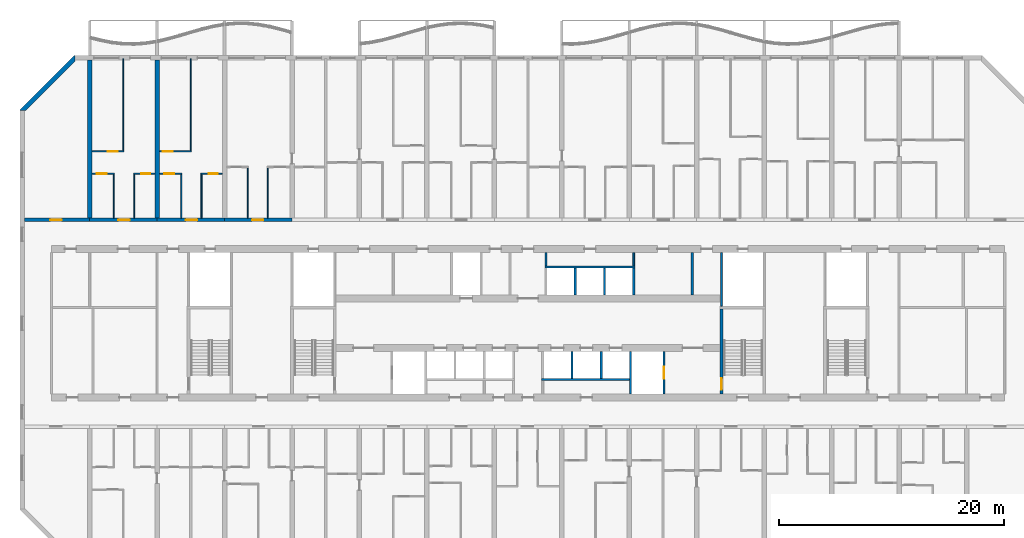
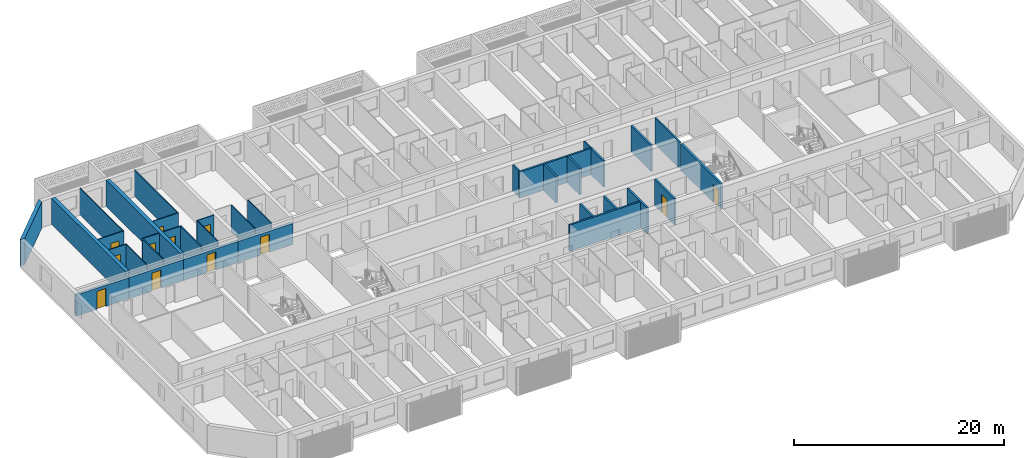
# One storey, part 9 of 39: 35 walls, 12 doors, 12 openings.
"""IFC4 building model written with IfcOpenShell, lengths in metres."""

from ifc_helpers import new_model, si_unit, direction, frame, frame_2d, origin, place, context, subcontext, project, spatial, polyline, rectangle, outline, extrude, material, layer, layer_set, type_object, element, fill, save


model = new_model("IFC4")

# Units and contexts
model_context = context("Model", 3, precision=1e-05, world=origin(), true_north=direction((0.0, 1.0)))
body_context = subcontext(model_context, "Body", "Model", "MODEL_VIEW")
ifc_project = project(units=[si_unit("LENGTHUNIT", "METRE"), si_unit("AREAUNIT", "SQUARE_METRE"), si_unit("VOLUMEUNIT", "CUBIC_METRE"), si_unit("PLANEANGLEUNIT", "RADIAN"), si_unit("MASSUNIT", "GRAM", prefix="KILO")], contexts=[model_context])

# Site, building, storey
site_placement = place(None, origin())
site = spatial("IfcSite", under=ifc_project, at=site_placement, CompositionType="ELEMENT")
building_placement = place(site_placement, origin())
building = spatial("IfcBuilding", under=site, at=building_placement, Name="Poui Terraces", CompositionType="ELEMENT")
storey_placement = place(building_placement, frame((0.0, 0.0, 56.39990234375)))
storey = spatial("IfcBuildingStorey", under=building, at=storey_placement, Name="L15", CompositionType="ELEMENT", Elevation=56.39990234375)

# Wall
ifc_material_1 = material(Name="Fire-rated plasterboard wall")
ifc_layer_1 = layer(ifc_material_1, 0.14990234375)
ifc_layer_set_1 = layer_set([ifc_layer_1], Name="Fire-rated plasterboard wall")
wall_type_1 = type_object("IfcWallType", Name="CORRIDOR WALL 150", PredefinedType="PARTITIONING", material=ifc_layer_set_1)
wall_1_placement = place(storey_placement, frame((52.60009765625, 26.300048828125, 0.0), z_axis=(0.0, 0.0, 1.0), x_axis=(0.0, 1.0, 0.0)))
element("IfcWall", 1, at=wall_1_placement, inside=storey, type_object=wall_type_1, Name="CORRIDOR WALL 150", PredefinedType="PARTITIONING", context=body_context, shape_type="SweptSolid", body=[
    extrude(rectangle(XDim=1.18994140625, YDim=0.14990234375, at=frame_2d((0.594970703125, 0.0))), origin(), (0.0, 0.0, 1.0), 3.050048828125),
])

# Wall, opening, door
ifc_material_2 = material(Name="Concrete 80 MPa", Category="concrete")
ifc_layer_2 = layer(ifc_material_2, 0.300048828125)
ifc_layer_set_2 = layer_set([ifc_layer_2], Name="Concrete 80 MPa")
wall_type_2 = type_object("IfcWallType", Name="CORRIDOR WALL 300 80MPa", PredefinedType="SHEAR", material=ifc_layer_set_2)
wall_2_placement = place(storey_placement, frame((6.199951171875, 30.39990234375, 0.0), z_axis=(0.0, 0.0, 1.0), x_axis=(1.0, 0.0, 0.0)))
wall_2 = element("IfcWall", 2, at=wall_2_placement, inside=storey, type_object=wall_type_2, Name="CORRIDOR WALL LINE E BAY 1", PredefinedType="SHEAR", context=body_context, shape_type="SweptSolid", body=[
    extrude(rectangle(XDim=5.800048828125, YDim=0.300048828125, at=frame_2d((2.89990234375, 0.0))), origin(), (0.0, 0.0, 1.0), 2.4501953125),
])
opening_1_placement = place(wall_2_placement, frame((2.300048828125, 0.0, 0.0)))
opening_1 = element("IfcOpeningElement", 3, at=opening_1_placement, cuts=wall_2, Name="Opening D100", PredefinedType="OPENING", context=body_context, shape_type="SweptSolid", body=[
    extrude(rectangle(XDim=1.0, YDim=2.10009765625, at=frame_2d((0.5, 1.050048828125))), frame((0.0, 0.16015625, 0.0), z_axis=(0.0, -1.0, 0.0), x_axis=(1.0, 0.0, 0.0)), (0.0, 0.0, 1.0), 0.320068359375),
])
ifc_material_3 = material(Name="Solid core timber door", Category="wood")
door_type_1 = type_object("IfcDoorType", Name="ACCESSIBLE INTERNAL DOOR 1000 X 2100", OperationType="NOTDEFINED", PredefinedType="DOOR", material=ifc_material_3)
door_1_placement = place(opening_1_placement, origin())
door_1 = element("IfcDoor", 4, at=door_1_placement, inside=storey, type_object=door_type_1, Name="ACCESSIBLE INTERNAL DOOR 032", OperationType="SINGLE_SWING_LEFT", OverallHeight=2.10009765625, OverallWidth=1.0, PredefinedType="DOOR", context=body_context, shape_type="SweptSolid", body=[
    extrude(rectangle(XDim=1.0, YDim=2.10009765625, at=frame_2d((0.5, 1.050048828125))), frame((0.0, 0.02490234375, 0.0), z_axis=(0.0, -1.0, 0.0), x_axis=(1.0, 0.0, 0.0)), (0.0, 0.0, 1.0), 0.050048828125),
])
fill(opening_1, door_1)

wall_3_placement = place(storey_placement, frame((12.0, 30.39990234375, 0.0), z_axis=(0.0, 0.0, 1.0), x_axis=(1.0, 0.0, 0.0)))
wall_3 = element("IfcWall", 5, at=wall_3_placement, inside=storey, type_object=wall_type_2, Name="CORRIDOR WALL LINE E BAY 2", PredefinedType="SHEAR", context=body_context, shape_type="SweptSolid", body=[
    extrude(rectangle(XDim=6.0, YDim=0.300048828125, at=frame_2d((3.0, 0.0))), origin(), (0.0, 0.0, 1.0), 2.4501953125),
])
opening_2_placement = place(wall_3_placement, frame((2.550048828125, 0.0, 0.0)))
opening_2 = element("IfcOpeningElement", 6, at=opening_2_placement, cuts=wall_3, Name="Opening FD30S", PredefinedType="OPENING", context=body_context, shape_type="SweptSolid", body=[
    extrude(rectangle(XDim=1.0, YDim=2.10009765625, at=frame_2d((0.5, 1.050048828125))), frame((0.0, 0.16015625, 0.0), z_axis=(0.0, -1.0, 0.0), x_axis=(1.0, 0.0, 0.0)), (0.0, 0.0, 1.0), 0.320068359375),
])
ifc_material_4 = material(Name="Steel fire door", Category="steel")
door_type_2 = type_object("IfcDoorType", Name="FLAT ENTRANCE DOOR 1000 X 2100", OperationType="NOTDEFINED", PredefinedType="DOOR", material=ifc_material_4)
door_2_placement = place(opening_2_placement, origin())
door_2 = element("IfcDoor", 7, at=door_2_placement, inside=storey, type_object=door_type_2, Name="FLAT ENTRANCE DOOR 035", OperationType="SINGLE_SWING_RIGHT", OverallHeight=2.10009765625, OverallWidth=1.0, PredefinedType="DOOR", context=body_context, shape_type="SweptSolid", body=[
    extrude(rectangle(XDim=1.0, YDim=2.10009765625, at=frame_2d((0.5, 1.050048828125))), frame((0.0, 0.02490234375, 0.0), z_axis=(0.0, -1.0, 0.0), x_axis=(1.0, 0.0, 0.0)), (0.0, 0.0, 1.0), 0.050048828125),
])
fill(opening_2, door_2)

wall_4_placement = place(storey_placement, frame((18.0, 30.39990234375, 0.0), z_axis=(0.0, 0.0, 1.0), x_axis=(1.0, 0.0, 0.0)))
wall_4 = element("IfcWall", 8, at=wall_4_placement, inside=storey, type_object=wall_type_2, Name="CORRIDOR WALL LINE E BAY 3", PredefinedType="SHEAR", context=body_context, shape_type="SweptSolid", body=[
    extrude(rectangle(XDim=6.0, YDim=0.300048828125, at=frame_2d((3.0, 0.0))), origin(), (0.0, 0.0, 1.0), 2.4501953125),
])
opening_3_placement = place(wall_4_placement, frame((2.550048828125, 0.0, 0.0)))
opening_3 = element("IfcOpeningElement", 9, at=opening_3_placement, cuts=wall_4, Name="Opening FD30S", PredefinedType="OPENING", context=body_context, shape_type="SweptSolid", body=[
    extrude(rectangle(XDim=1.0, YDim=2.10009765625, at=frame_2d((0.5, 1.050048828125))), frame((0.0, 0.16015625, 0.0), z_axis=(0.0, -1.0, 0.0), x_axis=(1.0, 0.0, 0.0)), (0.0, 0.0, 1.0), 0.320068359375),
])
door_3_placement = place(opening_3_placement, origin())
door_3 = element("IfcDoor", 10, at=door_3_placement, inside=storey, type_object=door_type_2, Name="FLAT ENTRANCE DOOR 039", OperationType="SINGLE_SWING_RIGHT", OverallHeight=2.10009765625, OverallWidth=1.0, PredefinedType="DOOR", context=body_context, shape_type="SweptSolid", body=[
    extrude(rectangle(XDim=1.0, YDim=2.10009765625, at=frame_2d((0.5, 1.050048828125))), frame((0.0, 0.02490234375, 0.0), z_axis=(0.0, -1.0, 0.0), x_axis=(1.0, 0.0, 0.0)), (0.0, 0.0, 1.0), 0.050048828125),
])
fill(opening_3, door_3)

wall_5_placement = place(storey_placement, frame((24.0, 30.39990234375, 0.0), z_axis=(0.0, 0.0, 1.0), x_axis=(1.0, 0.0, 0.0)))
wall_5 = element("IfcWall", 11, at=wall_5_placement, inside=storey, type_object=wall_type_2, Name="CORRIDOR WALL LINE E BAY 4", PredefinedType="SHEAR", context=body_context, shape_type="SweptSolid", body=[
    extrude(rectangle(XDim=6.0, YDim=0.300048828125, at=frame_2d((3.0, 0.0))), origin(), (0.0, 0.0, 1.0), 2.4501953125),
])
opening_4_placement = place(wall_5_placement, frame((2.449951171875, 0.0, 0.0)))
opening_4 = element("IfcOpeningElement", 12, at=opening_4_placement, cuts=wall_5, Name="Opening FD30S", PredefinedType="OPENING", context=body_context, shape_type="SweptSolid", body=[
    extrude(rectangle(XDim=1.0, YDim=2.10009765625, at=frame_2d((0.5, 1.050048828125))), frame((0.0, 0.16015625, 0.0), z_axis=(0.0, -1.0, 0.0), x_axis=(1.0, 0.0, 0.0)), (0.0, 0.0, 1.0), 0.320068359375),
])
door_4_placement = place(opening_4_placement, origin())
door_4 = element("IfcDoor", 13, at=door_4_placement, inside=storey, type_object=door_type_2, Name="FLAT ENTRANCE DOOR 043", OperationType="SINGLE_SWING_LEFT", OverallHeight=2.10009765625, OverallWidth=1.0, PredefinedType="DOOR", context=body_context, shape_type="SweptSolid", body=[
    extrude(rectangle(XDim=1.0, YDim=2.10009765625, at=frame_2d((0.5, 1.050048828125))), frame((0.0, 0.02490234375, 0.0), z_axis=(0.0, -1.0, 0.0), x_axis=(1.0, 0.0, 0.0)), (0.0, 0.0, 1.0), 0.050048828125),
])
fill(opening_4, door_4)

# Walls
ifc_layer_3 = layer(ifc_material_2, 0.39990234375)
ifc_layer_set_3 = layer_set([ifc_layer_3], Name="Concrete 80 MPa")
wall_type_3 = type_object("IfcWallType", Name="CROSS WALL 400 80MPa", PredefinedType="SHEAR", material=ifc_layer_set_3)
for number, where, z_axis, x_axis, name in (
    (14, (12.0, 30.550048828125, 0.0), (0.0, 0.0, 1.0), (0.0, 1.0, 0.0), "CROSS WALL LINE 3 NORTH"),
    (15, (18.0, 30.550048828125, 0.0), (0.0, 0.0, 1.0), (0.0, 1.0, 0.0), "CROSS WALL LINE 4 NORTH"),
):
    element("IfcWall", number, at=place(storey_placement, frame(where, z_axis=z_axis, x_axis=x_axis)), inside=storey, type_object=wall_type_3, Name=name, PredefinedType="SHEAR", context=body_context, shape_type="SweptSolid", body=[
        extrude(rectangle(XDim=14.050048828125, YDim=0.39990234375, at=frame_2d((7.02490234375, 0.0))), origin(), (0.0, 0.0, 1.0), 3.050048828125),
    ])

# Wall, opening, door
ifc_material_5 = material(Name="Plasterboard partition")
ifc_layer_4 = layer(ifc_material_5, 0.10009765625)
ifc_layer_set_4 = layer_set([ifc_layer_4], Name="Plasterboard partition")
wall_type_4 = type_object("IfcWallType", Name="FLAT PARTITION 100", PredefinedType="PARTITIONING", material=ifc_layer_set_4)
wall_6_placement = place(storey_placement, frame((12.2099609375, 34.5, 0.0), z_axis=(0.0, 0.0, 1.0), x_axis=(1.0, 0.0, 0.0)))
wall_6 = element("IfcWall", 16, at=wall_6_placement, inside=storey, type_object=wall_type_4, Name="FLAT PARTITION 100", PredefinedType="PARTITIONING", context=body_context, shape_type="SweptSolid", body=[
    extrude(rectangle(XDim=1.989990234375, YDim=0.10009765625, at=frame_2d((0.9951171875, 0.0))), origin(), (0.0, 0.0, 1.0), 3.050048828125),
])
opening_5_placement = place(wall_6_placement, frame((0.4150390625, 0.0, 0.0)))
opening_5 = element("IfcOpeningElement", 17, at=opening_5_placement, cuts=wall_6, Name="Opening D90", PredefinedType="OPENING", context=body_context, shape_type="SweptSolid", body=[
    extrude(rectangle(XDim=0.89990234375, YDim=2.10009765625, at=frame_2d((0.449951171875, 1.050048828125))), frame((0.0, 0.06005859375, 0.0), z_axis=(0.0, -1.0, 0.0), x_axis=(1.0, 0.0, 0.0)), (0.0, 0.0, 1.0), 0.1201171875),
])
door_type_3 = type_object("IfcDoorType", Name="INTERNAL DOOR 900 X 2100", OperationType="NOTDEFINED", PredefinedType="DOOR", material=ifc_material_3)
door_5_placement = place(opening_5_placement, frame((0.89990234375, 0.0, 0.0), z_axis=(0.0, 0.0, 1.0), x_axis=(-1.0, 0.0, 0.0)))
door_5 = element("IfcDoor", 18, at=door_5_placement, inside=storey, type_object=door_type_3, Name="INTERNAL DOOR 033", OperationType="SINGLE_SWING_LEFT", OverallHeight=2.10009765625, OverallWidth=0.89990234375, PredefinedType="DOOR", context=body_context, shape_type="SweptSolid", body=[
    extrude(rectangle(XDim=0.89990234375, YDim=2.10009765625, at=frame_2d((0.449951171875, 1.050048828125))), frame((0.0, 0.02490234375, 0.0), z_axis=(0.0, -1.0, 0.0), x_axis=(1.0, 0.0, 0.0)), (0.0, 0.0, 1.0), 0.050048828125),
])
fill(opening_5, door_5)

wall_7_placement = place(storey_placement, frame((15.89990234375, 34.5, 0.0), z_axis=(0.0, 0.0, 1.0), x_axis=(1.0, 0.0, 0.0)))
wall_7 = element("IfcWall", 19, at=wall_7_placement, inside=storey, type_object=wall_type_4, Name="FLAT PARTITION 100", PredefinedType="PARTITIONING", context=body_context, shape_type="SweptSolid", body=[
    extrude(rectangle(XDim=1.89013671875, YDim=0.10009765625, at=frame_2d((0.945068359375, 0.0))), origin(), (0.0, 0.0, 1.0), 3.050048828125),
])
opening_6_placement = place(wall_7_placement, frame((0.675048828125, 0.0, 0.0)))
opening_6 = element("IfcOpeningElement", 20, at=opening_6_placement, cuts=wall_7, Name="Opening D80", PredefinedType="OPENING", context=body_context, shape_type="SweptSolid", body=[
    extrude(rectangle(XDim=0.800048828125, YDim=2.10009765625, at=frame_2d((0.39990234375, 1.050048828125))), frame((0.0, 0.06005859375, 0.0), z_axis=(0.0, -1.0, 0.0), x_axis=(1.0, 0.0, 0.0)), (0.0, 0.0, 1.0), 0.1201171875),
])
door_type_4 = type_object("IfcDoorType", Name="BATHROOM, LAUNDRY AND STORE DOOR 800 X 2100", OperationType="NOTDEFINED", PredefinedType="DOOR", material=ifc_material_3)
door_6_placement = place(opening_6_placement, frame((0.800048828125, 0.0, 0.0), z_axis=(0.0, 0.0, 1.0), x_axis=(-1.0, 0.0, 0.0)))
door_6 = element("IfcDoor", 21, at=door_6_placement, inside=storey, type_object=door_type_4, Name="BATHROOM, LAUNDRY AND STORE DOOR 036", OperationType="SINGLE_SWING_RIGHT", OverallHeight=2.10009765625, OverallWidth=0.800048828125, PredefinedType="DOOR", context=body_context, shape_type="SweptSolid", body=[
    extrude(rectangle(XDim=0.800048828125, YDim=2.10009765625, at=frame_2d((0.39990234375, 1.050048828125))), frame((0.0, 0.02490234375, 0.0), z_axis=(0.0, -1.0, 0.0), x_axis=(1.0, 0.0, 0.0)), (0.0, 0.0, 1.0), 0.050048828125),
])
fill(opening_6, door_6)

wall_8_placement = place(storey_placement, frame((18.2099609375, 34.5, 0.0), z_axis=(0.0, 0.0, 1.0), x_axis=(1.0, 0.0, 0.0)))
wall_8 = element("IfcWall", 22, at=wall_8_placement, inside=storey, type_object=wall_type_4, Name="FLAT PARTITION 100", PredefinedType="PARTITIONING", context=body_context, shape_type="SweptSolid", body=[
    extrude(rectangle(XDim=1.989990234375, YDim=0.10009765625, at=frame_2d((0.9951171875, 0.0))), origin(), (0.0, 0.0, 1.0), 3.050048828125),
])
opening_7_placement = place(wall_8_placement, frame((0.4150390625, 0.0, 0.0)))
opening_7 = element("IfcOpeningElement", 23, at=opening_7_placement, cuts=wall_8, Name="Opening D90", PredefinedType="OPENING", context=body_context, shape_type="SweptSolid", body=[
    extrude(rectangle(XDim=0.89990234375, YDim=2.10009765625, at=frame_2d((0.449951171875, 1.050048828125))), frame((0.0, 0.06005859375, 0.0), z_axis=(0.0, -1.0, 0.0), x_axis=(1.0, 0.0, 0.0)), (0.0, 0.0, 1.0), 0.1201171875),
])
door_7_placement = place(opening_7_placement, frame((0.89990234375, 0.0, 0.0), z_axis=(0.0, 0.0, 1.0), x_axis=(-1.0, 0.0, 0.0)))
door_7 = element("IfcDoor", 24, at=door_7_placement, inside=storey, type_object=door_type_3, Name="INTERNAL DOOR 038", OperationType="SINGLE_SWING_RIGHT", OverallHeight=2.10009765625, OverallWidth=0.89990234375, PredefinedType="DOOR", context=body_context, shape_type="SweptSolid", body=[
    extrude(rectangle(XDim=0.89990234375, YDim=2.10009765625, at=frame_2d((0.449951171875, 1.050048828125))), frame((0.0, 0.02490234375, 0.0), z_axis=(0.0, -1.0, 0.0), x_axis=(1.0, 0.0, 0.0)), (0.0, 0.0, 1.0), 0.050048828125),
])
fill(opening_7, door_7)

wall_9_placement = place(storey_placement, frame((21.89990234375, 34.5, 0.0), z_axis=(0.0, 0.0, 1.0), x_axis=(1.0, 0.0, 0.0)))
wall_9 = element("IfcWall", 25, at=wall_9_placement, inside=storey, type_object=wall_type_4, Name="FLAT PARTITION 100", PredefinedType="PARTITIONING", context=body_context, shape_type="SweptSolid", body=[
    extrude(rectangle(XDim=1.89013671875, YDim=0.10009765625, at=frame_2d((0.945068359375, 0.0))), origin(), (0.0, 0.0, 1.0), 3.050048828125),
])
opening_8_placement = place(wall_9_placement, frame((0.675048828125, 0.0, 0.0)))
opening_8 = element("IfcOpeningElement", 26, at=opening_8_placement, cuts=wall_9, Name="Opening D80", PredefinedType="OPENING", context=body_context, shape_type="SweptSolid", body=[
    extrude(rectangle(XDim=0.800048828125, YDim=2.10009765625, at=frame_2d((0.39990234375, 1.050048828125))), frame((0.0, 0.06005859375, 0.0), z_axis=(0.0, -1.0, 0.0), x_axis=(1.0, 0.0, 0.0)), (0.0, 0.0, 1.0), 0.1201171875),
])
door_8_placement = place(opening_8_placement, frame((0.800048828125, 0.0, 0.0), z_axis=(0.0, 0.0, 1.0), x_axis=(-1.0, 0.0, 0.0)))
door_8 = element("IfcDoor", 27, at=door_8_placement, inside=storey, type_object=door_type_4, Name="BATHROOM, LAUNDRY AND STORE DOOR 040", OperationType="SINGLE_SWING_LEFT", OverallHeight=2.10009765625, OverallWidth=0.800048828125, PredefinedType="DOOR", context=body_context, shape_type="SweptSolid", body=[
    extrude(rectangle(XDim=0.800048828125, YDim=2.10009765625, at=frame_2d((0.39990234375, 1.050048828125))), frame((0.0, 0.02490234375, 0.0), z_axis=(0.0, -1.0, 0.0), x_axis=(1.0, 0.0, 0.0)), (0.0, 0.0, 1.0), 0.050048828125),
])
fill(opening_8, door_8)

wall_10_placement = place(storey_placement, frame((12.2099609375, 36.5, 0.0), z_axis=(0.0, 0.0, 1.0), x_axis=(1.0, 0.0, 0.0)))
wall_10 = element("IfcWall", 28, at=wall_10_placement, inside=storey, type_object=wall_type_4, Name="FLAT PARTITION 100", PredefinedType="PARTITIONING", context=body_context, shape_type="SweptSolid", body=[
    extrude(rectangle(XDim=2.840087890625, YDim=0.10009765625, at=frame_2d((1.419921875, 0.0))), origin(), (0.0, 0.0, 1.0), 3.050048828125),
])
opening_9_placement = place(wall_10_placement, frame((1.389892578125, 0.0, 0.0)))
opening_9 = element("IfcOpeningElement", 29, at=opening_9_placement, cuts=wall_10, Name="Opening D90", PredefinedType="OPENING", context=body_context, shape_type="SweptSolid", body=[
    extrude(rectangle(XDim=0.89990234375, YDim=2.10009765625, at=frame_2d((0.449951171875, 1.050048828125))), frame((0.0, 0.06005859375, 0.0), z_axis=(0.0, -1.0, 0.0), x_axis=(1.0, 0.0, 0.0)), (0.0, 0.0, 1.0), 0.1201171875),
])
door_9_placement = place(opening_9_placement, frame((0.89990234375, 0.0, 0.0), z_axis=(0.0, 0.0, 1.0), x_axis=(-1.0, 0.0, 0.0)))
door_9 = element("IfcDoor", 30, at=door_9_placement, inside=storey, type_object=door_type_3, Name="INTERNAL DOOR 034", OperationType="SINGLE_SWING_RIGHT", OverallHeight=2.10009765625, OverallWidth=0.89990234375, PredefinedType="DOOR", context=body_context, shape_type="SweptSolid", body=[
    extrude(rectangle(XDim=0.89990234375, YDim=2.10009765625, at=frame_2d((0.449951171875, 1.050048828125))), frame((0.0, 0.02490234375, 0.0), z_axis=(0.0, -1.0, 0.0), x_axis=(1.0, 0.0, 0.0)), (0.0, 0.0, 1.0), 0.050048828125),
])
fill(opening_9, door_9)

wall_11_placement = place(storey_placement, frame((18.2099609375, 36.5, 0.0), z_axis=(0.0, 0.0, 1.0), x_axis=(1.0, 0.0, 0.0)))
wall_11 = element("IfcWall", 31, at=wall_11_placement, inside=storey, type_object=wall_type_4, Name="FLAT PARTITION 100", PredefinedType="PARTITIONING", context=body_context, shape_type="SweptSolid", body=[
    extrude(rectangle(XDim=2.840087890625, YDim=0.10009765625, at=frame_2d((1.419921875, 0.0))), origin(), (0.0, 0.0, 1.0), 3.050048828125),
])
opening_10_placement = place(wall_11_placement, frame((0.2900390625, 0.0, 0.0)))
opening_10 = element("IfcOpeningElement", 32, at=opening_10_placement, cuts=wall_11, Name="Opening D90", PredefinedType="OPENING", context=body_context, shape_type="SweptSolid", body=[
    extrude(rectangle(XDim=0.89990234375, YDim=2.10009765625, at=frame_2d((0.449951171875, 1.050048828125))), frame((0.0, 0.06005859375, 0.0), z_axis=(0.0, -1.0, 0.0), x_axis=(1.0, 0.0, 0.0)), (0.0, 0.0, 1.0), 0.1201171875),
])
door_10_placement = place(opening_10_placement, frame((0.89990234375, 0.0, 0.0), z_axis=(0.0, 0.0, 1.0), x_axis=(-1.0, 0.0, 0.0)))
door_10 = element("IfcDoor", 33, at=door_10_placement, inside=storey, type_object=door_type_3, Name="INTERNAL DOOR 037", OperationType="SINGLE_SWING_LEFT", OverallHeight=2.10009765625, OverallWidth=0.89990234375, PredefinedType="DOOR", context=body_context, shape_type="SweptSolid", body=[
    extrude(rectangle(XDim=0.89990234375, YDim=2.10009765625, at=frame_2d((0.449951171875, 1.050048828125))), frame((0.0, 0.02490234375, 0.0), z_axis=(0.0, -1.0, 0.0), x_axis=(1.0, 0.0, 0.0)), (0.0, 0.0, 1.0), 0.050048828125),
])
fill(opening_10, door_10)

# Walls
wall_12_placement = place(storey_placement, frame((14.14990234375, 30.56005859375, 0.0), z_axis=(0.0, 0.0, 1.0), x_axis=(0.0, 1.0, 0.0)))
element("IfcWall", 34, at=wall_12_placement, inside=storey, type_object=wall_type_4, Name="FLAT PARTITION 100", PredefinedType="PARTITIONING", context=body_context, shape_type="SweptSolid", body=[
    extrude(rectangle(XDim=3.889892578125, YDim=0.10009765625, at=frame_2d((1.94482421875, 0.0))), origin(), (0.0, 0.0, 1.0), 3.050048828125),
])
wall_13_placement = place(storey_placement, frame((15.0, 36.550048828125, 0.0), z_axis=(0.0, 0.0, 1.0), x_axis=(0.0, 1.0, 0.0)))
element("IfcWall", 35, at=wall_13_placement, inside=storey, type_object=wall_type_4, Name="FLAT PARTITION 100", PredefinedType="PARTITIONING", context=body_context, shape_type="SweptSolid", body=[
    extrude(rectangle(XDim=8.18994140625, YDim=0.10009765625, at=frame_2d((4.094970703125, 0.0))), origin(), (0.0, 0.0, 1.0), 3.050048828125),
])
for number, where, z_axis, x_axis, name in (
    (36, (15.949951171875, 30.56005859375, 0.0), (0.0, 0.0, 1.0), (0.0, 1.0, 0.0), "FLAT PARTITION 100"),
    (37, (20.14990234375, 30.56005859375, 0.0), (0.0, 0.0, 1.0), (0.0, 1.0, 0.0), "FLAT PARTITION 100"),
):
    element("IfcWall", number, at=place(storey_placement, frame(where, z_axis=z_axis, x_axis=x_axis)), inside=storey, type_object=wall_type_4, Name=name, PredefinedType="PARTITIONING", context=body_context, shape_type="SweptSolid", body=[
        extrude(rectangle(XDim=3.889892578125, YDim=0.10009765625, at=frame_2d((1.94482421875, 0.0))), origin(), (0.0, 0.0, 1.0), 3.050048828125),
    ])
wall_14_placement = place(storey_placement, frame((21.0, 36.550048828125, 0.0), z_axis=(0.0, 0.0, 1.0), x_axis=(0.0, 1.0, 0.0)))
element("IfcWall", 38, at=wall_14_placement, inside=storey, type_object=wall_type_4, Name="FLAT PARTITION 100", PredefinedType="PARTITIONING", context=body_context, shape_type="SweptSolid", body=[
    extrude(rectangle(XDim=8.18994140625, YDim=0.10009765625, at=frame_2d((4.094970703125, 0.0))), origin(), (0.0, 0.0, 1.0), 3.050048828125),
])
wall_15_placement = place(storey_placement, frame((21.949951171875, 30.56005859375, 0.0), z_axis=(0.0, 0.0, 1.0), x_axis=(0.0, 1.0, 0.0)))
element("IfcWall", 39, at=wall_15_placement, inside=storey, type_object=wall_type_4, Name="FLAT PARTITION 100", PredefinedType="PARTITIONING", context=body_context, shape_type="SweptSolid", body=[
    extrude(rectangle(XDim=3.889892578125, YDim=0.10009765625, at=frame_2d((1.94482421875, 0.0))), origin(), (0.0, 0.0, 1.0), 3.050048828125),
])
for number, where, z_axis, x_axis, name in (
    (40, (26.050048828125, 30.56005859375, 0.0), (0.0, 0.0, 1.0), (0.0, 1.0, 0.0), "FLAT PARTITION 100"),
    (41, (27.85009765625, 30.56005859375, 0.0), (0.0, 0.0, 1.0), (0.0, 1.0, 0.0), "FLAT PARTITION 100"),
):
    element("IfcWall", number, at=place(storey_placement, frame(where, z_axis=z_axis, x_axis=x_axis)), inside=storey, type_object=wall_type_4, Name=name, PredefinedType="PARTITIONING", context=body_context, shape_type="SweptSolid", body=[
        extrude(rectangle(XDim=4.489990234375, YDim=0.10009765625, at=frame_2d((2.2451171875, 0.0))), origin(), (0.0, 0.0, 1.0), 3.050048828125),
    ])
ifc_layer_5 = layer(ifc_material_5, 0.14990234375)
ifc_layer_set_5 = layer_set([ifc_layer_5], Name="Plasterboard partition")
wall_type_5 = type_object("IfcWallType", Name="PARTITION WALL 150", PredefinedType="PARTITIONING", material=ifc_layer_set_5)
wall_16_placement = place(storey_placement, frame((60.39990234375, 26.300048828125, 0.0), z_axis=(0.0, 0.0, 1.0), x_axis=(0.0, 1.0, 0.0)))
element("IfcWall", 42, at=wall_16_placement, inside=storey, type_object=wall_type_5, Name="PARTITION WALL 150", PredefinedType="PARTITIONING", context=body_context, shape_type="SweptSolid", body=[
    extrude(rectangle(XDim=1.18994140625, YDim=0.14990234375, at=frame_2d((0.594970703125, 0.0))), origin(), (0.0, 0.0, 1.0), 3.050048828125),
])
ifc_material_6 = material(Name="Fire-rated masonry wall", Category="masonry")
ifc_layer_6 = layer(ifc_material_6, 0.199951171875)
ifc_layer_set_6 = layer_set([ifc_layer_6], Name="Fire-rated masonry wall")
wall_type_6 = type_object("IfcWallType", Name="PLANT ROOM WALL 200", PredefinedType="PARTITIONING", material=ifc_layer_set_6)
wall_17_placement = place(storey_placement, frame((65.60009765625, 23.7099609375, 0.0), z_axis=(0.0, 0.0, 1.0), x_axis=(0.0, 1.0, 0.0)))
element("IfcWall", 43, at=wall_17_placement, inside=storey, type_object=wall_type_6, Name="PLANT ROOM WALL 200", PredefinedType="PARTITIONING", context=body_context, shape_type="SweptSolid", body=[
    extrude(rectangle(XDim=3.780029296875, YDim=0.199951171875, at=frame_2d((1.89013671875, 0.0))), origin(), (0.0, 0.0, 1.0), 3.050048828125),
])
ifc_material_7 = material(Name="Fire-rated plasterboard riser wall")
ifc_layer_7 = layer(ifc_material_7, 0.14990234375)
ifc_layer_set_7 = layer_set([ifc_layer_7], Name="Fire-rated plasterboard riser wall")
wall_type_7 = type_object("IfcWallType", Name="RISER WALL 150", PredefinedType="PARTITIONING", material=ifc_layer_set_7)
wall_18_placement = place(storey_placement, frame((68.199951171875, 22.735107421875, 0.0), z_axis=(0.0, 0.0, 1.0), x_axis=(0.0, 1.0, 0.0)))
element("IfcWall", 44, at=wall_18_placement, inside=storey, type_object=wall_type_7, Name="RISER WALL 150", PredefinedType="PARTITIONING", context=body_context, shape_type="SweptSolid", body=[
    extrude(rectangle(XDim=4.7548828125, YDim=0.14990234375, at=frame_2d((2.37744140625, 0.0))), origin(), (0.0, 0.0, 1.0), 3.050048828125),
])
ifc_material_8 = material(Name="Fire-rated masonry shaft wall", Category="masonry")
ifc_layer_8 = layer(ifc_material_8, 0.199951171875)
ifc_layer_set_8 = layer_set([ifc_layer_8], Name="Fire-rated masonry shaft wall")
wall_type_8 = type_object("IfcWallType", Name="SHAFT WALL 200", PredefinedType="PARTITIONING", material=ifc_layer_set_8)
wall_19_placement = place(storey_placement, frame((52.199951171875, 16.199951171875, 0.0), z_axis=(0.0, 0.0, 1.0), x_axis=(1.0, 0.0, 0.0)))
element("IfcWall", 45, at=wall_19_placement, inside=storey, type_object=wall_type_8, Name="SHAFT WALL 200", PredefinedType="PARTITIONING", context=body_context, shape_type="SweptSolid", body=[
    extrude(rectangle(XDim=7.800048828125, YDim=0.199951171875, at=frame_2d((3.89990234375, 0.0))), origin(), (0.0, 0.0, 1.0), 3.050048828125),
])
wall_20_placement = place(storey_placement, frame((52.5, 26.199951171875, 0.0), z_axis=(0.0, 0.0, 1.0), x_axis=(1.0, 0.0, 0.0)))
element("IfcWall", 46, at=wall_20_placement, inside=storey, type_object=wall_type_8, Name="SHAFT WALL 200", PredefinedType="PARTITIONING", context=body_context, shape_type="SweptSolid", body=[
    extrude(rectangle(XDim=8.0, YDim=0.199951171875, at=frame_2d((4.0, 0.0))), origin(), (0.0, 0.0, 1.0), 3.050048828125),
])
wall_21_placement = place(storey_placement, frame((54.89990234375, 16.300048828125, 0.0), z_axis=(0.0, 0.0, 1.0), x_axis=(0.0, 1.0, 0.0)))
element("IfcWall", 47, at=wall_21_placement, inside=storey, type_object=wall_type_8, Name="SHAFT WALL 200", PredefinedType="PARTITIONING", context=body_context, shape_type="SweptSolid", body=[
    extrude(rectangle(XDim=2.389892578125, YDim=0.199951171875, at=frame_2d((1.19482421875, 0.0))), origin(), (0.0, 0.0, 1.0), 3.050048828125),
])
wall_22_placement = place(storey_placement, frame((55.199951171875, 23.7099609375, 0.0), z_axis=(0.0, 0.0, 1.0), x_axis=(0.0, 1.0, 0.0)))
element("IfcWall", 48, at=wall_22_placement, inside=storey, type_object=wall_type_8, Name="SHAFT WALL 200", PredefinedType="PARTITIONING", context=body_context, shape_type="SweptSolid", body=[
    extrude(rectangle(XDim=2.39013671875, YDim=0.199951171875, at=frame_2d((1.195068359375, 0.0))), origin(), (0.0, 0.0, 1.0), 3.050048828125),
])
wall_23_placement = place(storey_placement, frame((57.5, 16.300048828125, 0.0), z_axis=(0.0, 0.0, 1.0), x_axis=(0.0, 1.0, 0.0)))
element("IfcWall", 49, at=wall_23_placement, inside=storey, type_object=wall_type_8, Name="SHAFT WALL 200", PredefinedType="PARTITIONING", context=body_context, shape_type="SweptSolid", body=[
    extrude(rectangle(XDim=2.389892578125, YDim=0.199951171875, at=frame_2d((1.19482421875, 0.0))), origin(), (0.0, 0.0, 1.0), 3.050048828125),
])
wall_24_placement = place(storey_placement, frame((57.800048828125, 23.7099609375, 0.0), z_axis=(0.0, 0.0, 1.0), x_axis=(0.0, 1.0, 0.0)))
element("IfcWall", 50, at=wall_24_placement, inside=storey, type_object=wall_type_8, Name="SHAFT WALL 200", PredefinedType="PARTITIONING", context=body_context, shape_type="SweptSolid", body=[
    extrude(rectangle(XDim=2.39013671875, YDim=0.199951171875, at=frame_2d((1.195068359375, 0.0))), origin(), (0.0, 0.0, 1.0), 3.050048828125),
])
wall_25_placement = place(storey_placement, frame((60.10009765625, 14.909912109375, 0.0), z_axis=(0.0, 0.0, 1.0), x_axis=(0.0, 1.0, 0.0)))
element("IfcWall", 51, at=wall_25_placement, inside=storey, type_object=wall_type_8, Name="SHAFT WALL 200", PredefinedType="PARTITIONING", context=body_context, shape_type="SweptSolid", body=[
    extrude(rectangle(XDim=3.780029296875, YDim=0.199951171875, at=frame_2d((1.89013671875, 0.0))), origin(), (0.0, 0.0, 1.0), 3.050048828125),
])
wall_26_placement = place(storey_placement, frame((60.39990234375, 23.7099609375, 0.0), z_axis=(0.0, 0.0, 1.0), x_axis=(0.0, 1.0, 0.0)))
element("IfcWall", 52, at=wall_26_placement, inside=storey, type_object=wall_type_8, Name="SHAFT WALL 200", PredefinedType="PARTITIONING", context=body_context, shape_type="SweptSolid", body=[
    extrude(rectangle(XDim=2.39013671875, YDim=0.199951171875, at=frame_2d((1.195068359375, 0.0))), origin(), (0.0, 0.0, 1.0), 3.050048828125),
])

# Wall, opening, door
wall_27_placement = place(storey_placement, frame((63.10009765625, 14.909912109375, 0.0), z_axis=(0.0, 0.0, 1.0), x_axis=(0.0, 1.0, 0.0)))
wall_27 = element("IfcWall", 53, at=wall_27_placement, inside=storey, type_object=wall_type_8, Name="SHAFT WALL 200", PredefinedType="PARTITIONING", context=body_context, shape_type="SweptSolid", body=[
    extrude(rectangle(XDim=3.780029296875, YDim=0.199951171875, at=frame_2d((1.89013671875, 0.0))), origin(), (0.0, 0.0, 1.0), 3.050048828125),
])
opening_11_placement = place(wall_27_placement, frame((1.340087890625, 0.0, 0.0)))
opening_11 = element("IfcOpeningElement", 54, at=opening_11_placement, cuts=wall_27, Name="Opening LD", PredefinedType="OPENING", context=body_context, shape_type="SweptSolid", body=[
    extrude(rectangle(XDim=1.10009765625, YDim=2.10009765625, at=frame_2d((0.550048828125, 1.050048828125))), frame((0.0, 0.10986328125, 0.0), z_axis=(0.0, -1.0, 0.0), x_axis=(1.0, 0.0, 0.0)), (0.0, 0.0, 1.0), 0.219970703125),
])
ifc_material_9 = material(Name="Stainless steel sliding door", Category="steel")
door_type_5 = type_object("IfcDoorType", Name="LIFT LANDING DOOR 1100 X 2100", OperationType="DOUBLE_DOOR_SLIDING", PredefinedType="DOOR", material=ifc_material_9)
door_11_placement = place(opening_11_placement, origin())
door_11 = element("IfcDoor", 55, at=door_11_placement, inside=storey, type_object=door_type_5, Name="LANDING DOOR", OperationType="DOUBLE_DOOR_SLIDING", OverallHeight=2.10009765625, OverallWidth=1.10009765625, PredefinedType="DOOR", context=body_context, shape_type="SweptSolid", body=[
    extrude(rectangle(XDim=1.10009765625, YDim=2.10009765625, at=frame_2d((0.550048828125, 1.050048828125))), frame((0.0, 0.02490234375, 0.0), z_axis=(0.0, -1.0, 0.0), x_axis=(1.0, 0.0, 0.0)), (0.0, 0.0, 1.0), 0.050048828125),
])
fill(opening_11, door_11)

ifc_layer_9 = layer(ifc_material_2, 0.25)
ifc_layer_set_9 = layer_set([ifc_layer_9], Name="Concrete 80 MPa")
wall_type_9 = type_object("IfcWallType", Name="STAIR CORE WALL 250 80 MPA", PredefinedType="SOLIDWALL", material=ifc_layer_set_9)
wall_28_placement = place(storey_placement, frame((68.199951171875, 14.89990234375, 0.0), z_axis=(0.0, 0.0, 1.0), x_axis=(0.0, 1.0, 0.0)))
wall_28 = element("IfcWall", 56, at=wall_28_placement, inside=storey, type_object=wall_type_9, Name="STAIR CORE WALL", PredefinedType="SOLIDWALL", context=body_context, shape_type="SweptSolid", body=[
    extrude(rectangle(XDim=7.5751953125, YDim=0.25, at=frame_2d((3.78759765625, 0.0))), origin(), (0.0, 0.0, 1.0), 3.050048828125),
])
opening_12_placement = place(wall_28_placement, frame((0.39990234375, 0.0, 0.0)))
opening_12 = element("IfcOpeningElement", 57, at=opening_12_placement, cuts=wall_28, Name="Opening FD60S", PredefinedType="OPENING", context=body_context, shape_type="SweptSolid", body=[
    extrude(rectangle(XDim=1.0, YDim=2.10009765625, at=frame_2d((0.5, 1.050048828125))), frame((0.0, 0.135009765625, 0.0), z_axis=(0.0, -1.0, 0.0), x_axis=(1.0, 0.0, 0.0)), (0.0, 0.0, 1.0), 0.27001953125),
])
door_type_6 = type_object("IfcDoorType", Name="STAIR DOOR 1000 X 2100", OperationType="NOTDEFINED", PredefinedType="DOOR", material=ifc_material_4)
door_12_placement = place(opening_12_placement, frame((1.0, 0.0, 0.0), z_axis=(0.0, 0.0, 1.0), x_axis=(-1.0, 0.0, 0.0)))
door_12 = element("IfcDoor", 58, at=door_12_placement, inside=storey, type_object=door_type_6, Name="STAIR DOOR 136", OperationType="SINGLE_SWING_LEFT", OverallHeight=2.10009765625, OverallWidth=1.0, PredefinedType="DOOR", context=body_context, shape_type="SweptSolid", body=[
    extrude(rectangle(XDim=1.0, YDim=2.10009765625, at=frame_2d((0.5, 1.050048828125))), frame((0.0, 0.02490234375, 0.0), z_axis=(0.0, -1.0, 0.0), x_axis=(1.0, 0.0, 0.0)), (0.0, 0.0, 1.0), 0.050048828125),
])
fill(opening_12, door_12)

# Wall
ifc_material_10 = material(Name="Precast concrete 40 MPa", Category="concrete")
ifc_layer_10 = layer(ifc_material_10, 0.39990234375)
ifc_layer_set_10 = layer_set([ifc_layer_10], Name="Precast concrete 40 MPa")
wall_type_10 = type_object("IfcWallType", Name="TERRACOTTA CLAD CHAMFER WALL 400", PredefinedType="STANDARD", material=ifc_layer_set_10)
wall_29_placement = place(storey_placement, origin())
element("IfcWall", 59, at=wall_29_placement, inside=storey, type_object=wall_type_10, Name="CHAMFER WALL CH05", PredefinedType="STANDARD", context=body_context, shape_type="SweptSolid", body=[
    extrude(outline(polyline([(10.682861328125, 45.0), (10.60009765625, 45.0), (5.800048828125, 40.199951171875), (5.800048828125, 40.1171875), (6.28271484375, 40.1171875), (10.682861328125, 44.51708984375), (10.682861328125, 45.0)])), origin(), (0.0, 0.0, 1.0), 3.050048828125),
])

save(model, "model.ifc")
